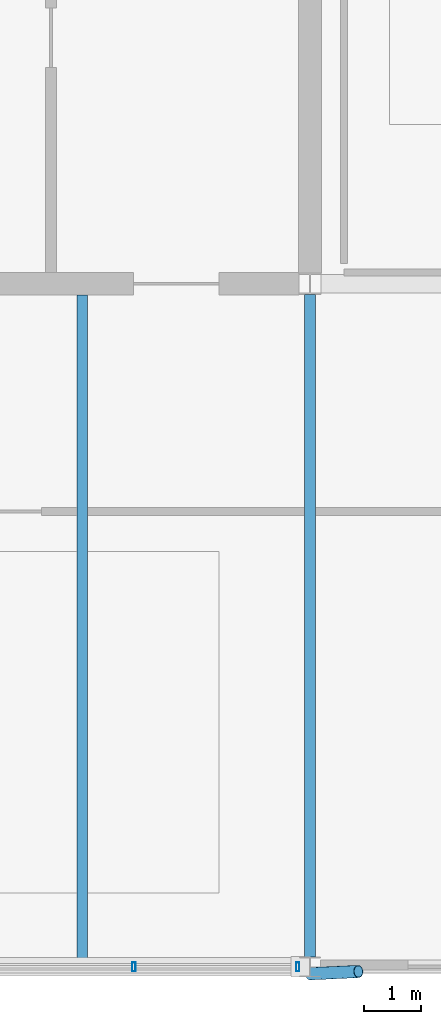
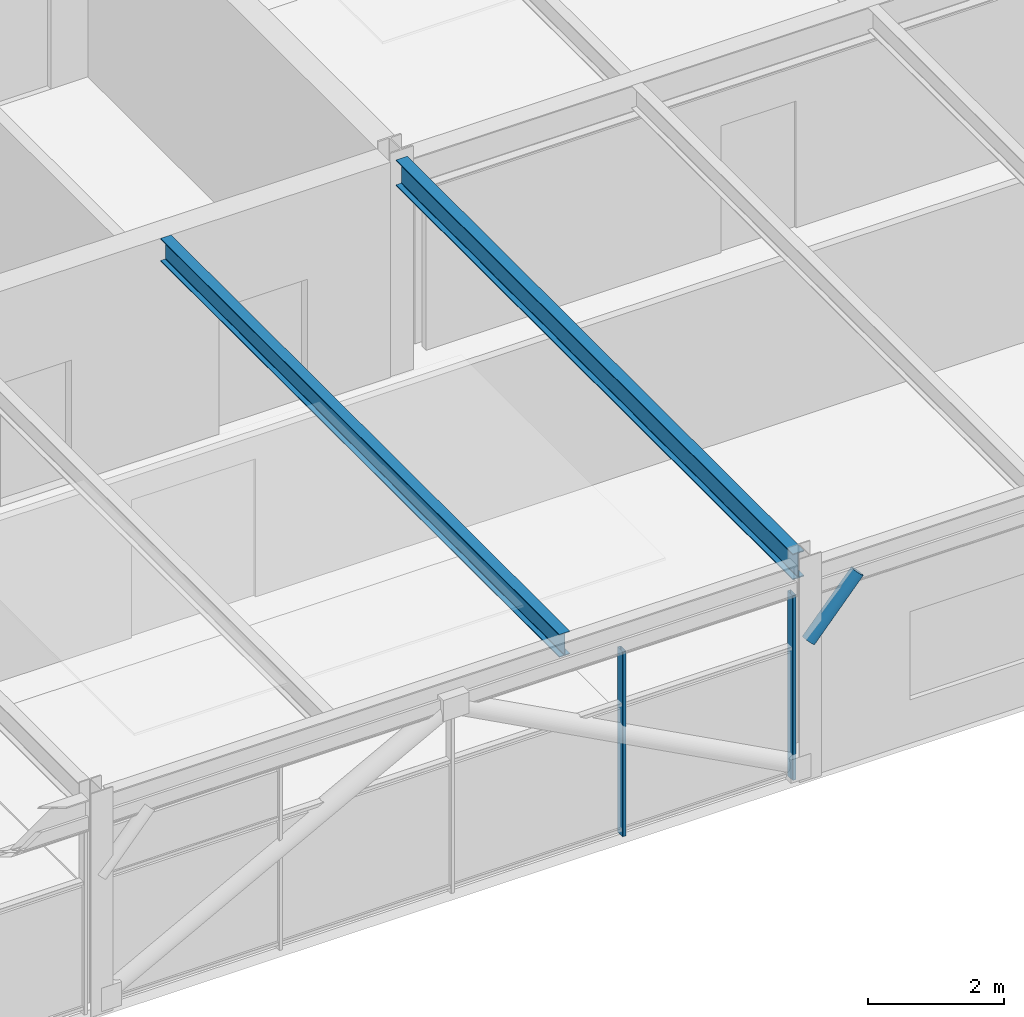
# One storey, part 29 of 40: 3 members, 2 beams, 1 element without a shape of its own.
"""IFC4 building model written with IfcOpenShell, lengths in metres."""

from ifc_helpers import new_model, si_unit, direction, frame, origin, origin_2d, place, context, subcontext, project, spatial, hollow_rectangle, hollow_circle, i_section, extrude, material, material_profile, profile_set, type_object, element, aggregate, save


model = new_model("IFC4")

# Units and contexts
model_context = context("Model", 3, precision=1e-05, world=origin(), true_north=direction((0.0, 1.0)))
body_context = subcontext(model_context, "Body", "Model", "MODEL_VIEW")
ifc_project = project(units=[si_unit("LENGTHUNIT", "METRE"), si_unit("AREAUNIT", "SQUARE_METRE"), si_unit("VOLUMEUNIT", "CUBIC_METRE"), si_unit("PLANEANGLEUNIT", "RADIAN"), si_unit("MASSUNIT", "GRAM", prefix="KILO")], contexts=[model_context])

# Site, building, storey
site_placement = place(None, origin())
site = spatial("IfcSite", under=ifc_project, at=site_placement, CompositionType="ELEMENT")
building_placement = place(site_placement, origin())
building = spatial("IfcBuilding", under=site, at=building_placement, Name="Girod Span Mobility Hub", CompositionType="ELEMENT")
storey_placement = place(building_placement, frame((0.0, 0.0, 57.60009765625)))
storey = spatial("IfcBuildingStorey", under=building, at=storey_placement, Name="L14", CompositionType="ELEMENT", Elevation=57.60009765625)

# Beams
ifc_material_1 = material(Name="Steel A992 Grade 50", Category="steel")
ifc_material_profile_1 = material_profile(ifc_material_1, i_section(OverallWidth=0.178955078125, OverallDepth=0.409912109375, WebThickness=0.0087890625, FlangeThickness=0.014404296875, FilletRadius=0.012939453125, at=origin_2d()), Name="W16X45")
ifc_profile_set_1 = profile_set([ifc_material_profile_1], Name="Steel A992 Grade 50")
beam_type_1 = type_object("IfcBeamType", Name="BM-STL-W16X45", PredefinedType="BEAM", material=ifc_profile_set_1)
beam_1_placement = place(storey_placement, frame((116.0, 45.10302734375, 3.64501953125), z_axis=(0.0, 1.0, 0.0), x_axis=(-1.0, 0.0, 0.0)))
element("IfcBeam", 1, at=beam_1_placement, inside=storey, type_object=beam_type_1, Name="Composite Floorbeam 10/D-2 L14", PredefinedType="BEAM", context=body_context, shape_type="SweptSolid", body=[
    extrude(i_section(OverallWidth=0.178955078125, OverallDepth=0.409912109375, WebThickness=0.0087890625, FlangeThickness=0.014404296875, FilletRadius=0.012939453125, at=origin_2d()), origin(), (0.0, 0.0, 1.0), 11.699951171875),
])
ifc_material_2 = material(Name="Steel A992 Grade 50", Category="steel")
ifc_material_profile_2 = material_profile(ifc_material_2, i_section(OverallWidth=0.19189453125, OverallDepth=0.462890625, WebThickness=0.010498046875, FlangeThickness=0.017578125, FilletRadius=0.013916015625, at=origin_2d()), Name="W18X60")
ifc_profile_set_2 = profile_set([ifc_material_profile_2], Name="Steel A992 Grade 50")
beam_type_2 = type_object("IfcBeamType", Name="BM-STL-W18X60", PredefinedType="BEAM", material=ifc_profile_set_2)
beam_2_placement = place(storey_placement, frame((120.0, 45.175048828125, 3.618408203125), z_axis=(0.0, 1.0, 0.0), x_axis=(-1.0, 0.0, 0.0)))
element("IfcBeam", 2, at=beam_2_placement, inside=storey, type_object=beam_type_2, Name="Tie Girder 11/D-E L14", PredefinedType="BEAM", context=body_context, shape_type="SweptSolid", body=[
    extrude(i_section(OverallWidth=0.19189453125, OverallDepth=0.462890625, WebThickness=0.010498046875, FlangeThickness=0.017578125, FilletRadius=0.013916015625, at=origin_2d()), origin(), (0.0, 0.0, 1.0), 11.640380859375),
])

# Curtain wall, members
ifc_material_3 = material(Name="Thermally Broken Anodised Aluminium", Category="aluminium")
curtain_wall_type = type_object("IfcCurtainWallType", Name="CW-1164X331", PredefinedType="USERDEFINED", material=ifc_material_3)
curtain_wall_placement = place(storey_placement, origin())
curtain_wall = element("IfcCurtainWall", 3, at=curtain_wall_placement, inside=storey, type_object=curtain_wall_type, Name="Unitised Curtain Wall CW-L14-S10 L14", ObjectType="UNITISED CURTAIN WALL", PredefinedType="USERDEFINED")
ifc_material_4 = material(Name="Thermally Broken Anodised Aluminium", Category="aluminium")
ifc_material_profile_3 = material_profile(ifc_material_4, hollow_rectangle(XDim=0.159912109375, YDim=0.06005859375, WallThickness=0.00341796875, InnerFilletRadius=0.00341796875, OuterFilletRadius=0.007080078125, at=origin_2d()), Name="CW-ML-60X160")
ifc_profile_set_3 = profile_set([ifc_material_profile_3], Name="Thermally Broken Anodised Aluminium")
member_type_1 = type_object("IfcMemberType", Name="CWM-ML-3", PredefinedType="MULLION", material=ifc_profile_set_3)
member_1_placement = place(storey_placement, frame((116.90869140625, 45.0, 0.0), z_axis=(0.0, 0.0, 1.0), x_axis=(0.0, 1.0, 0.0)))
member_1 = element("IfcMember", 4, at=member_1_placement, type_object=member_type_1, Name="Curtain Wall Mullion CW-L14-S10-M3", PredefinedType="MULLION", context=body_context, shape_type="SweptSolid", body=[
    extrude(hollow_rectangle(XDim=0.159912109375, YDim=0.06005859375, WallThickness=0.00341796875, InnerFilletRadius=0.00341796875, OuterFilletRadius=0.007080078125, at=origin_2d()), origin(), (0.0, 0.0, 1.0), 3.305908203125),
])
member_2_placement = place(storey_placement, frame((119.785400390625, 45.0, 0.0), z_axis=(0.0, 0.0, 1.0), x_axis=(0.0, 1.0, 0.0)))
member_2 = element("IfcMember", 5, at=member_2_placement, type_object=member_type_1, Name="Curtain Wall Mullion CW-L14-S10-M4", PredefinedType="MULLION", context=body_context, shape_type="SweptSolid", body=[
    extrude(hollow_rectangle(XDim=0.159912109375, YDim=0.06005859375, WallThickness=0.00341796875, InnerFilletRadius=0.00341796875, OuterFilletRadius=0.007080078125, at=origin_2d()), origin(), (0.0, 0.0, 1.0), 3.305908203125),
])
aggregate(curtain_wall, [member_1, member_2])

# Member
ifc_material_5 = material(Name="Steel HSS A500 Grade C", Category="steel")
ifc_material_profile_4 = material_profile(ifc_material_5, hollow_circle(Radius=0.109619140625, WallThickness=0.0087890625, at=origin_2d()), Name="HSS219X9.5")
ifc_profile_set_4 = profile_set([ifc_material_profile_4], Name="Steel HSS A500 Grade C")
member_type_2 = type_object("IfcMemberType", Name="MB-ST-HSS219", PredefinedType="STRUT", material=ifc_profile_set_4)
member_3_placement = place(storey_placement, frame((120.0, 44.8798828125, 2.449951171875), z_axis=(0.678338294934, 0.031949305103, 0.734054766029), x_axis=(-0.047047213483, 0.998892666758, 0.0)))
element("IfcMember", 6, at=member_3_placement, inside=storey, type_object=member_type_2, Name="Solar Shading Knee Strut 11 L14", PredefinedType="STRUT", context=body_context, shape_type="SweptSolid", body=[
    extrude(hollow_circle(Radius=0.109619140625, WallThickness=0.0087890625, at=origin_2d()), origin(), (0.0, 0.0, 1.0), 1.253173828125),
])

save(model, "model.ifc")
